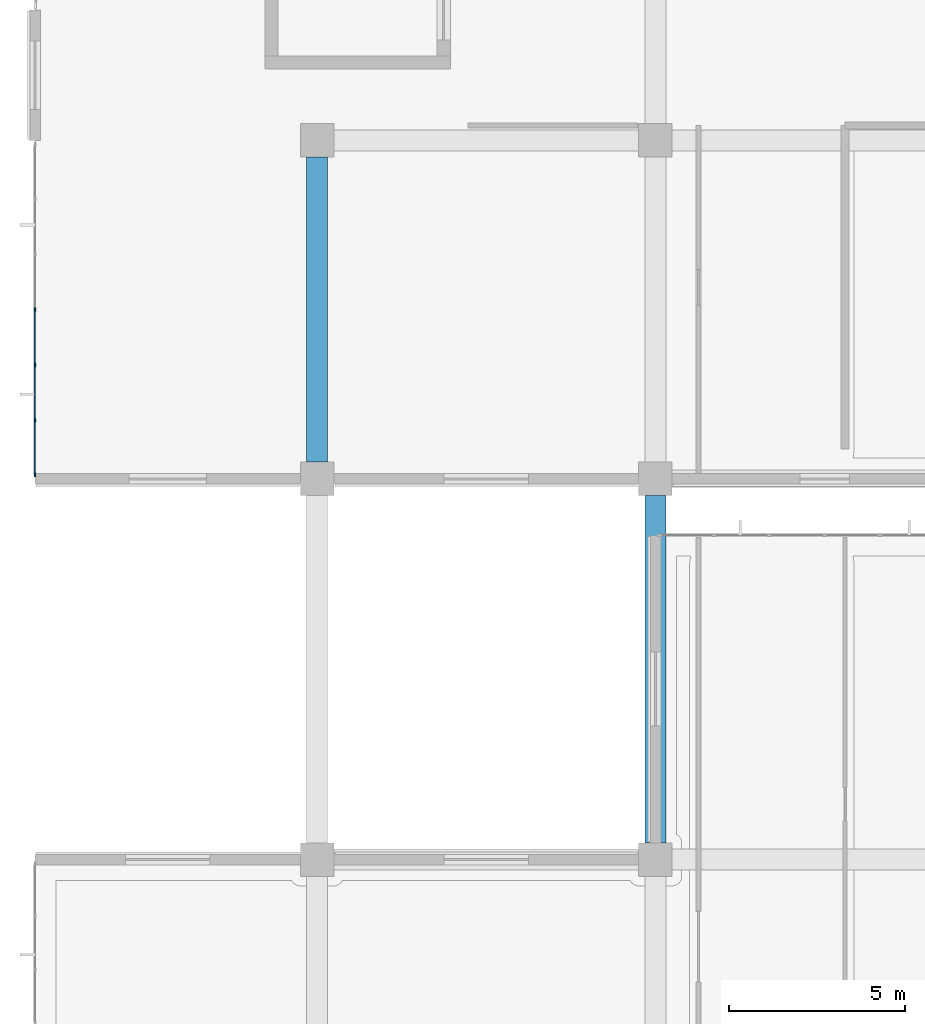
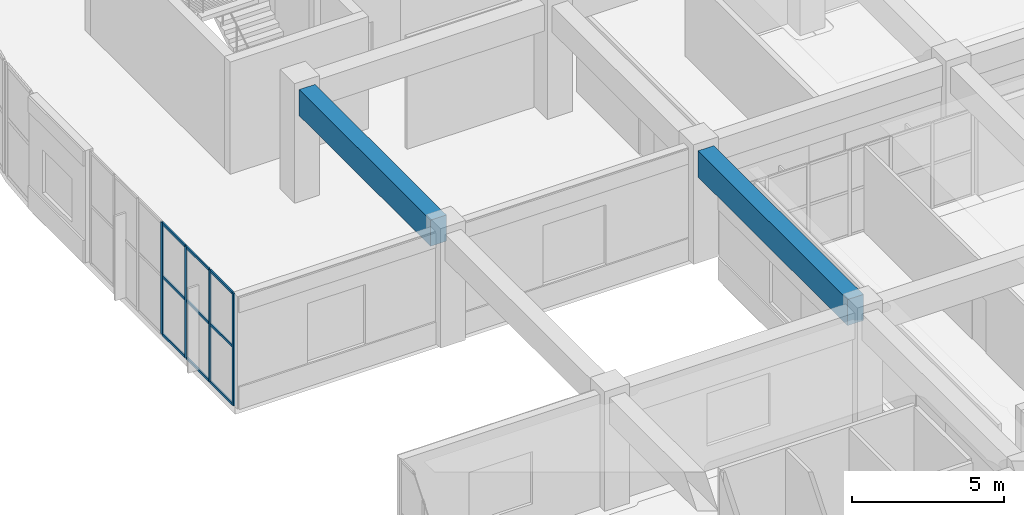
# One storey, part 13 of 86: 13 members, 2 beams, 1 element without a shape of its own.
"""IFC4 building model written with IfcOpenShell, lengths in metres."""

from ifc_helpers import new_model, si_unit, direction, frame, origin, origin_2d, place, context, subcontext, project, spatial, rectangle, extrude, material, layer, layer_set, material_profile, profile_set, type_object, element, aggregate, save


model = new_model("IFC4")

# Units and contexts
model_context = context("Model", 3, precision=1e-05, world=origin(), true_north=direction((0.0, 1.0)))
body_context = subcontext(model_context, "Body", "Model", "MODEL_VIEW")
ifc_project = project(units=[si_unit("LENGTHUNIT", "METRE"), si_unit("AREAUNIT", "SQUARE_METRE"), si_unit("VOLUMEUNIT", "CUBIC_METRE"), si_unit("PLANEANGLEUNIT", "RADIAN"), si_unit("MASSUNIT", "GRAM", prefix="KILO")], contexts=[model_context])

# Site, building, storey
site_placement = place(None, origin())
site = spatial("IfcSite", under=ifc_project, at=site_placement, CompositionType="ELEMENT")
building_placement = place(site_placement, origin())
building = spatial("IfcBuilding", under=site, at=building_placement, Name="Cendralis Terraced Arcade", CompositionType="ELEMENT")
storey_placement = place(building_placement, frame((0.0, 0.0, 5.39990234375)))
storey = spatial("IfcBuildingStorey", under=building, at=storey_placement, Name="L01", CompositionType="ELEMENT", Elevation=5.39990234375)

# Beams
ifc_material_1 = material(Name="Concrete f'c 35 MPa", Category="concrete")
ifc_material_profile_1 = material_profile(ifc_material_1, rectangle(XDim=0.60009765625, YDim=1.050048828125, at=origin_2d()), Name="RC-BM-600x1050", Category="LoadBearing")
ifc_profile_set_1 = profile_set([ifc_material_profile_1], Name="Concrete f'c 35 MPa")
beam_type = type_object("IfcBeamType", Name="BM-600x1050", PredefinedType="JOIST", material=ifc_profile_set_1)
beam_1_placement = place(storey_placement, frame((9.60009765625, 60.47509765625, 3.97998046875), z_axis=(0.0, 1.0, 0.0), x_axis=(-1.0, 0.0, 0.0)))
element("IfcBeam", 1, at=beam_1_placement, inside=storey, type_object=beam_type, Name="Reinforced Concrete Frame Beam BM-Y-L02-2-G_H", PredefinedType="JOIST", context=body_context, shape_type="SweptSolid", body=[
    extrude(rectangle(XDim=0.60009765625, YDim=1.050048828125, at=origin_2d()), origin(), (0.0, 0.0, 1.0), 8.64990234375),
])
beam_2_placement = place(storey_placement, frame((19.199951171875, 49.675048828125, 3.97998046875), z_axis=(0.0, 1.0, 0.0), x_axis=(-1.0, 0.0, 0.0)))
element("IfcBeam", 2, at=beam_2_placement, inside=storey, type_object=beam_type, Name="Reinforced Concrete Frame Beam BM-Y-L02-3-F_G", PredefinedType="JOIST", context=body_context, shape_type="SweptSolid", body=[
    extrude(rectangle(XDim=0.60009765625, YDim=1.050048828125, at=origin_2d()), origin(), (0.0, 0.0, 1.0), 9.849853515625),
])

# Curtain wall, members
ifc_material_2 = material(Name="Anodised aluminium EN AW-6063 T6", Category="aluminium")
ifc_layer = layer(ifc_material_2, 0.1201171875, Name="CW-STORE-B")
ifc_layer_set = layer_set([ifc_layer], Name="Anodised aluminium EN AW-6063 T6")
curtain_wall_type = type_object("IfcCurtainWallType", Name="CW-STORE-B", PredefinedType="USERDEFINED", material=ifc_layer_set)
curtain_wall_placement = place(storey_placement, origin())
curtain_wall = element("IfcCurtainWall", 3, at=curtain_wall_placement, inside=storey, type_object=curtain_wall_type, Name="Exterior Storefront Glazing CW-L01-0037", ObjectType="STOREFRONT GLAZING", PredefinedType="USERDEFINED")
ifc_material_profile_2 = material_profile(ifc_material_2, rectangle(XDim=0.054931640625, YDim=0.1201171875, at=origin_2d()), Name="ALU-MUL-55x120")
ifc_profile_set_2 = profile_set([ifc_material_profile_2], Name="Anodised aluminium EN AW-6063 T6")
member_type_1 = type_object("IfcMemberType", Name="CW-STORE-B-MUL", PredefinedType="MULLION", material=ifc_profile_set_2)
member_1_placement = place(storey_placement, frame((1.60009765625, 60.117431640625, 0.0), z_axis=(0.0, 0.0, 1.0), x_axis=(-1.0, 0.0, 0.0)))
member_1 = element("IfcMember", 4, at=member_1_placement, type_object=member_type_1, Name="CW-S2 mullion 1", PredefinedType="MULLION", context=body_context, shape_type="SweptSolid", body=[
    extrude(rectangle(XDim=0.054931640625, YDim=0.1201171875, at=origin_2d()), origin(), (0.0, 0.0, 1.0), 4.505126953125),
])
member_2_placement = place(storey_placement, frame((1.60009765625, 61.659912109375, 0.0), z_axis=(0.0, 0.0, 1.0), x_axis=(-1.0, 0.0, 0.0)))
member_2 = element("IfcMember", 5, at=member_2_placement, type_object=member_type_1, Name="CW-S2 mullion 2", PredefinedType="MULLION", context=body_context, shape_type="SweptSolid", body=[
    extrude(rectangle(XDim=0.054931640625, YDim=0.1201171875, at=origin_2d()), origin(), (0.0, 0.0, 1.0), 4.505126953125),
])
member_3_placement = place(storey_placement, frame((1.60009765625, 63.22998046875, 0.0), z_axis=(0.0, 0.0, 1.0), x_axis=(-1.0, 0.0, 0.0)))
member_3 = element("IfcMember", 6, at=member_3_placement, type_object=member_type_1, Name="CW-S2 mullion 3", PredefinedType="MULLION", context=body_context, shape_type="SweptSolid", body=[
    extrude(rectangle(XDim=0.054931640625, YDim=0.1201171875, at=origin_2d()), origin(), (0.0, 0.0, 1.0), 4.505126953125),
])
member_4_placement = place(storey_placement, frame((1.60009765625, 64.800048828125, 0.0), z_axis=(0.0, 0.0, 1.0), x_axis=(-1.0, 0.0, 0.0)))
member_4 = element("IfcMember", 7, at=member_4_placement, type_object=member_type_1, Name="CW-S2 mullion 4", PredefinedType="MULLION", context=body_context, shape_type="SweptSolid", body=[
    extrude(rectangle(XDim=0.054931640625, YDim=0.1201171875, at=origin_2d()), origin(), (0.0, 0.0, 1.0), 4.505126953125),
])
ifc_material_profile_3 = material_profile(ifc_material_2, rectangle(XDim=0.054931640625, YDim=0.10009765625, at=origin_2d()), Name="ALU-TRN-55x100")
ifc_profile_set_3 = profile_set([ifc_material_profile_3], Name="Anodised aluminium EN AW-6063 T6")
member_type_2 = type_object("IfcMemberType", Name="CW-STORE-B-TRN", PredefinedType="USERDEFINED", material=ifc_profile_set_3)
member_5_placement = place(storey_placement, frame((1.60009765625, 60.14501953125, 0.027587890625), z_axis=(0.0, 1.0, 0.0), x_axis=(-1.0, 0.0, 0.0)))
member_5 = element("IfcMember", 8, at=member_5_placement, type_object=member_type_2, Name="CW-S2 transom 1.1", ObjectType="TRANSOM", PredefinedType="USERDEFINED", context=body_context, shape_type="SweptSolid", body=[
    extrude(rectangle(XDim=0.054931640625, YDim=0.10009765625, at=origin_2d()), origin(), (0.0, 0.0, 1.0), 1.487548828125),
])
member_6_placement = place(storey_placement, frame((1.60009765625, 60.14501953125, 2.3427734375), z_axis=(0.0, 1.0, 0.0), x_axis=(-1.0, 0.0, 0.0)))
member_6 = element("IfcMember", 9, at=member_6_placement, type_object=member_type_2, Name="CW-S2 transom 1.2", ObjectType="TRANSOM", PredefinedType="USERDEFINED", context=body_context, shape_type="SweptSolid", body=[
    extrude(rectangle(XDim=0.054931640625, YDim=0.10009765625, at=origin_2d()), origin(), (0.0, 0.0, 1.0), 1.487548828125),
])
member_7_placement = place(storey_placement, frame((1.60009765625, 60.14501953125, 4.4775390625), z_axis=(0.0, 1.0, 0.0), x_axis=(-1.0, 0.0, 0.0)))
member_7 = element("IfcMember", 10, at=member_7_placement, type_object=member_type_2, Name="CW-S2 transom 1.3", ObjectType="TRANSOM", PredefinedType="USERDEFINED", context=body_context, shape_type="SweptSolid", body=[
    extrude(rectangle(XDim=0.054931640625, YDim=0.10009765625, at=origin_2d()), origin(), (0.0, 0.0, 1.0), 1.487548828125),
])
member_8_placement = place(storey_placement, frame((1.60009765625, 61.6875, 0.027587890625), z_axis=(0.0, 1.0, 0.0), x_axis=(-1.0, 0.0, 0.0)))
member_8 = element("IfcMember", 11, at=member_8_placement, type_object=member_type_2, Name="CW-S2 transom 2.1", ObjectType="TRANSOM", PredefinedType="USERDEFINED", context=body_context, shape_type="SweptSolid", body=[
    extrude(rectangle(XDim=0.054931640625, YDim=0.10009765625, at=origin_2d()), origin(), (0.0, 0.0, 1.0), 1.514892578125),
])
member_9_placement = place(storey_placement, frame((1.60009765625, 61.6875, 2.3427734375), z_axis=(0.0, 1.0, 0.0), x_axis=(-1.0, 0.0, 0.0)))
member_9 = element("IfcMember", 12, at=member_9_placement, type_object=member_type_2, Name="CW-S2 transom 2.2", ObjectType="TRANSOM", PredefinedType="USERDEFINED", context=body_context, shape_type="SweptSolid", body=[
    extrude(rectangle(XDim=0.054931640625, YDim=0.10009765625, at=origin_2d()), origin(), (0.0, 0.0, 1.0), 1.514892578125),
])
member_10_placement = place(storey_placement, frame((1.60009765625, 61.6875, 4.4775390625), z_axis=(0.0, 1.0, 0.0), x_axis=(-1.0, 0.0, 0.0)))
member_10 = element("IfcMember", 13, at=member_10_placement, type_object=member_type_2, Name="CW-S2 transom 2.3", ObjectType="TRANSOM", PredefinedType="USERDEFINED", context=body_context, shape_type="SweptSolid", body=[
    extrude(rectangle(XDim=0.054931640625, YDim=0.10009765625, at=origin_2d()), origin(), (0.0, 0.0, 1.0), 1.514892578125),
])
member_11_placement = place(storey_placement, frame((1.60009765625, 63.257568359375, 0.027587890625), z_axis=(0.0, 1.0, 0.0), x_axis=(-1.0, 0.0, 0.0)))
member_11 = element("IfcMember", 14, at=member_11_placement, type_object=member_type_2, Name="CW-S2 transom 3.1", ObjectType="TRANSOM", PredefinedType="USERDEFINED", context=body_context, shape_type="SweptSolid", body=[
    extrude(rectangle(XDim=0.054931640625, YDim=0.10009765625, at=origin_2d()), origin(), (0.0, 0.0, 1.0), 1.514892578125),
])
member_12_placement = place(storey_placement, frame((1.60009765625, 63.257568359375, 2.3427734375), z_axis=(0.0, 1.0, 0.0), x_axis=(-1.0, 0.0, 0.0)))
member_12 = element("IfcMember", 15, at=member_12_placement, type_object=member_type_2, Name="CW-S2 transom 3.2", ObjectType="TRANSOM", PredefinedType="USERDEFINED", context=body_context, shape_type="SweptSolid", body=[
    extrude(rectangle(XDim=0.054931640625, YDim=0.10009765625, at=origin_2d()), origin(), (0.0, 0.0, 1.0), 1.514892578125),
])
member_13_placement = place(storey_placement, frame((1.60009765625, 63.257568359375, 4.4775390625), z_axis=(0.0, 1.0, 0.0), x_axis=(-1.0, 0.0, 0.0)))
member_13 = element("IfcMember", 16, at=member_13_placement, type_object=member_type_2, Name="CW-S2 transom 3.3", ObjectType="TRANSOM", PredefinedType="USERDEFINED", context=body_context, shape_type="SweptSolid", body=[
    extrude(rectangle(XDim=0.054931640625, YDim=0.10009765625, at=origin_2d()), origin(), (0.0, 0.0, 1.0), 1.514892578125),
])
aggregate(curtain_wall, [member_1, member_2, member_3, member_4, member_5, member_6, member_7, member_8, member_9, member_10, member_11, member_12, member_13])

save(model, "model.ifc")
